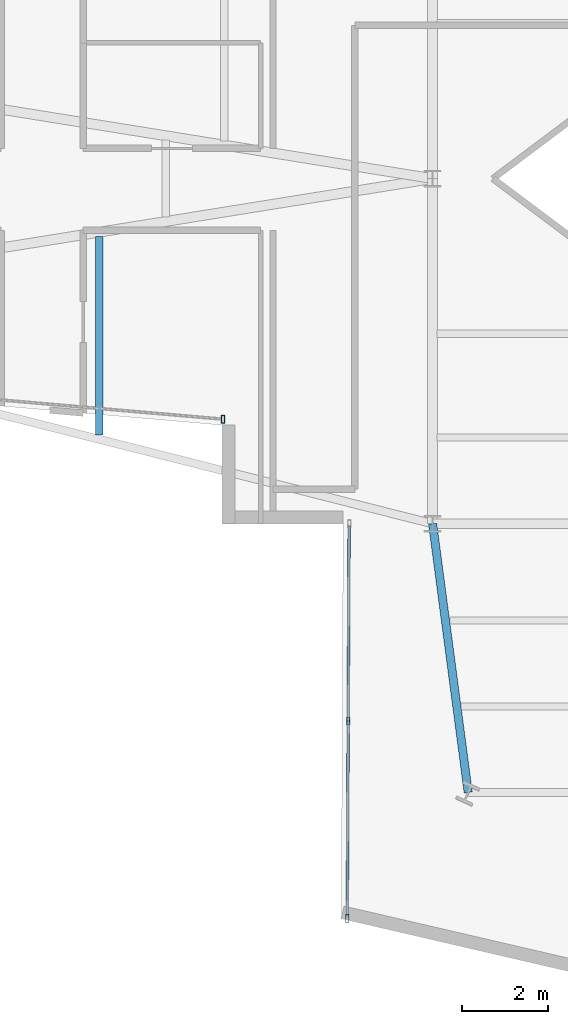
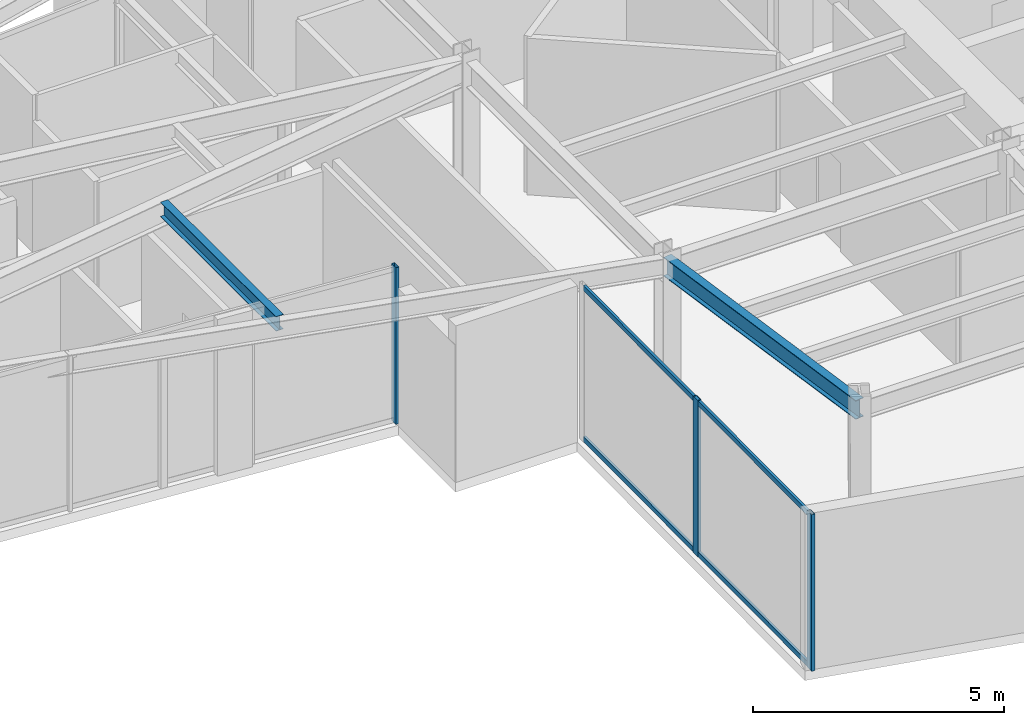
# One storey, part 4 of 23: 5 members, 2 beams, 2 elements without a shape of their own.
"""IFC4 building model written with IfcOpenShell, lengths in metres."""

from ifc_helpers import new_model, si_unit, direction, frame, origin, origin_2d, place, context, subcontext, project, spatial, hollow_rectangle, i_section, extrude, material, layer, layer_set, material_profile, profile_set, type_object, element, aggregate, save


model = new_model("IFC4")

# Units and contexts
model_context = context("Model", 3, precision=1e-05, world=origin(), true_north=direction((0.0, 1.0)))
body_context = subcontext(model_context, "Body", "Model", "MODEL_VIEW")
ifc_project = project(units=[si_unit("LENGTHUNIT", "METRE"), si_unit("AREAUNIT", "SQUARE_METRE"), si_unit("VOLUMEUNIT", "CUBIC_METRE"), si_unit("PLANEANGLEUNIT", "RADIAN"), si_unit("MASSUNIT", "GRAM", prefix="KILO")], contexts=[model_context])

# Site, building, storey
site_placement = place(None, origin())
site = spatial("IfcSite", under=ifc_project, at=site_placement, CompositionType="ELEMENT")
building_placement = place(site_placement, origin())
building = spatial("IfcBuilding", under=site, at=building_placement, Name="Veymaron Broadcast Tower", CompositionType="ELEMENT")
storey_placement = place(building_placement, frame((0.0, 0.0, 161.39990234375)))
storey = spatial("IfcBuildingStorey", under=building, at=storey_placement, Name="L37", CompositionType="ELEMENT", Elevation=161.39990234375)

# Beams
ifc_material_1 = material(Name="Structural steel ASTM A992 Gr 50", Category="steel")
ifc_material_profile_1 = material_profile(ifc_material_1, i_section(OverallWidth=0.1708984375, OverallDepth=0.35498046875, WebThickness=0.007080078125, FlangeThickness=0.01171875, at=origin_2d()), Name="W360X51")
ifc_profile_set_1 = profile_set([ifc_material_profile_1], Name="Structural steel ASTM A992 Gr 50")
beam_type_1 = type_object("IfcBeamType", Name="BM-JS2", PredefinedType="JOIST", material=ifc_profile_set_1)
beam_1_placement = place(storey_placement, frame((23.468505859375, 18.05810546875, 3.632568359375), z_axis=(0.0, 1.0, 0.0), x_axis=(-1.0, 0.0, 0.0)))
element("IfcBeam", 1, at=beam_1_placement, inside=storey, type_object=beam_type_1, Name="L37 Arm-A secondary joist 2S", PredefinedType="JOIST", context=body_context, shape_type="SweptSolid", body=[
    extrude(i_section(OverallWidth=0.1708984375, OverallDepth=0.35498046875, WebThickness=0.007080078125, FlangeThickness=0.01171875, at=origin_2d()), origin(), (0.0, 0.0, 1.0), 4.599853515625),
])
ifc_material_profile_2 = material_profile(ifc_material_1, i_section(OverallWidth=0.19091796875, OverallDepth=0.4599609375, WebThickness=0.010009765625, FlangeThickness=0.01611328125, at=origin_2d()), Name="W460X82")
ifc_profile_set_2 = profile_set([ifc_material_profile_2], Name="Structural steel ASTM A992 Gr 50")
beam_type_2 = type_object("IfcBeamType", Name="BM-SP1", PredefinedType="SPANDREL", material=ifc_profile_set_2)
beam_2_placement = place(storey_placement, frame((31.199951171875, 16.0, 3.580078125), z_axis=(0.131423193916, -0.991326356, 0.0), x_axis=(0.991326356, 0.131423193916, 0.0)))
element("IfcBeam", 2, at=beam_2_placement, inside=storey, type_object=beam_type_2, Name="L37 primary structural floor girder", PredefinedType="SPANDREL", context=body_context, shape_type="SweptSolid", body=[
    extrude(i_section(OverallWidth=0.19091796875, OverallDepth=0.4599609375, WebThickness=0.010009765625, FlangeThickness=0.01611328125, at=origin_2d()), origin(), (0.0, 0.0, 1.0), 6.284423828125),
])

# Curtain wall, member
ifc_material_2 = material(Name="Anodised aluminium AA 6063-T6 and laminated low-E dark glass", Category="aluminium")
ifc_layer = layer(ifc_material_2, 0.179931640625)
ifc_layer_set = layer_set([ifc_layer], Name="Anodised aluminium AA 6063-T6 and laminated low-E dark glass")
curtain_wall_type = type_object("IfcCurtainWallType", Name="CW-SYS-03", PredefinedType="NOTDEFINED", material=ifc_layer_set)
curtain_wall_1_placement = place(storey_placement, origin())
curtain_wall_1 = element("IfcCurtainWall", 3, at=curtain_wall_1_placement, inside=storey, type_object=curtain_wall_type, Name="L37 dark-glass curtain wall CW-L37-E14-1", PredefinedType="NOTDEFINED")
ifc_material_3 = material(Name="Anodised aluminium AA 6063-T6", Category="aluminium")
ifc_material_profile_3 = material_profile(ifc_material_3, hollow_rectangle(XDim=0.074951171875, YDim=0.179931640625, WallThickness=0.0048828125, at=origin_2d()), Name="AL180X75X5")
ifc_profile_set_3 = profile_set([ifc_material_profile_3], Name="Anodised aluminium AA 6063-T6")
member_type_1 = type_object("IfcMemberType", Name="CW-MUL-02", PredefinedType="MULLION", material=ifc_profile_set_3)
member_1_placement = place(storey_placement, frame((26.340087890625, 18.423828125, 0.0), z_axis=(0.0, 0.0, 1.0), x_axis=(1.0, 0.0, 0.0)))
member_1 = element("IfcMember", 4, at=member_1_placement, type_object=member_type_1, Name="CW-L37-E14-1 mullion 2", PredefinedType="MULLION", context=body_context, shape_type="SweptSolid", body=[
    extrude(hollow_rectangle(XDim=0.074951171875, YDim=0.179931640625, WallThickness=0.0048828125, at=origin_2d()), origin(), (0.0, 0.0, 1.0), 3.81005859375),
])
aggregate(curtain_wall_1, [member_1])

# Curtain wall, members
curtain_wall_2_placement = place(storey_placement, origin())
curtain_wall_2 = element("IfcCurtainWall", 5, at=curtain_wall_2_placement, inside=storey, type_object=curtain_wall_type, Name="L37 dark-glass curtain wall CW-L37-E17-1", PredefinedType="NOTDEFINED")
member_2_placement = place(storey_placement, frame((29.2431640625, 11.42626953125, 0.0), z_axis=(0.0, 0.0, 1.0), x_axis=(1.0, 0.0, 0.0)))
member_2 = element("IfcMember", 6, at=member_2_placement, type_object=member_type_1, Name="CW-L37-E17-1 mullion 1", PredefinedType="MULLION", context=body_context, shape_type="SweptSolid", body=[
    extrude(hollow_rectangle(XDim=0.074951171875, YDim=0.179931640625, WallThickness=0.0048828125, at=origin_2d()), origin(), (0.0, 0.0, 1.0), 3.81005859375),
])
member_3_placement = place(storey_placement, frame((29.2216796875, 6.853271484375, 0.0), z_axis=(0.0, 0.0, 1.0), x_axis=(1.0, 0.0, 0.0)))
member_3 = element("IfcMember", 7, at=member_3_placement, type_object=member_type_1, Name="CW-L37-E17-1 mullion 2", PredefinedType="MULLION", context=body_context, shape_type="SweptSolid", body=[
    extrude(hollow_rectangle(XDim=0.074951171875, YDim=0.179931640625, WallThickness=0.0048828125, at=origin_2d()), origin(), (0.0, 0.0, 1.0), 3.81005859375),
])
ifc_material_profile_4 = material_profile(ifc_material_3, hollow_rectangle(XDim=0.06005859375, YDim=0.1201171875, WallThickness=0.00390625, at=origin_2d()), Name="AL120X60X4")
ifc_profile_set_4 = profile_set([ifc_material_profile_4], Name="Anodised aluminium AA 6063-T6")
member_type_2 = type_object("IfcMemberType", Name="CW-TRN-02", PredefinedType="USERDEFINED", material=ifc_profile_set_4)
member_4_placement = place(storey_placement, frame((29.26416015625, 15.94921875, 0.070068359375), z_axis=(-0.004669062784, -0.999989099867, 0.0), x_axis=(0.999989099867, -0.004669062784, 0.0)))
member_4 = element("IfcMember", 8, at=member_4_placement, type_object=member_type_2, Name="CW-L37-E17-1 transom B", ObjectType="TRANSOM", PredefinedType="USERDEFINED", context=body_context, shape_type="SweptSolid", body=[
    extrude(hollow_rectangle(XDim=0.06005859375, YDim=0.1201171875, WallThickness=0.00390625, at=origin_2d()), origin(), (0.0, 0.0, 1.0), 9.0458984375),
])
member_5_placement = place(storey_placement, frame((29.26416015625, 15.94921875, 3.739990234375), z_axis=(-0.004669062784, -0.999989099867, 0.0), x_axis=(0.999989099867, -0.004669062784, 0.0)))
member_5 = element("IfcMember", 9, at=member_5_placement, type_object=member_type_2, Name="CW-L37-E17-1 transom T", ObjectType="TRANSOM", PredefinedType="USERDEFINED", context=body_context, shape_type="SweptSolid", body=[
    extrude(hollow_rectangle(XDim=0.06005859375, YDim=0.1201171875, WallThickness=0.00390625, at=origin_2d()), origin(), (0.0, 0.0, 1.0), 9.0458984375),
])
aggregate(curtain_wall_2, [member_2, member_3, member_4, member_5])

save(model, "model.ifc")
